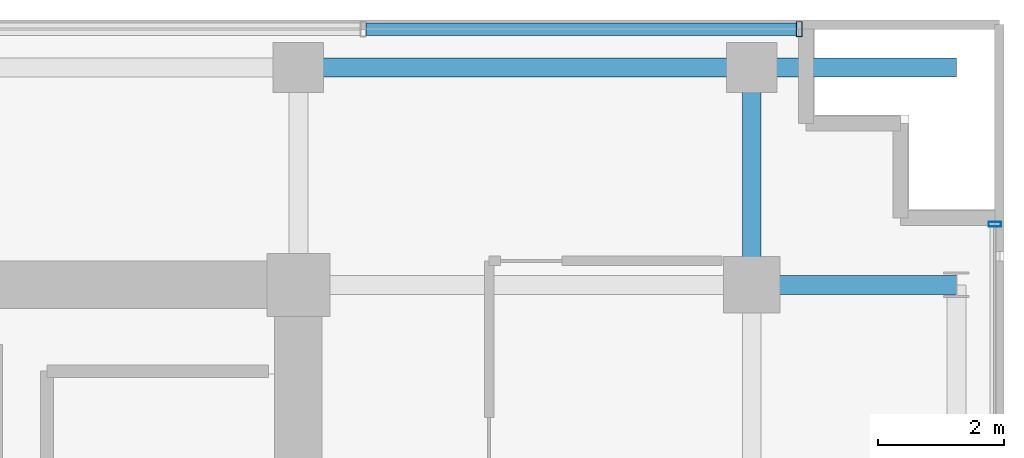
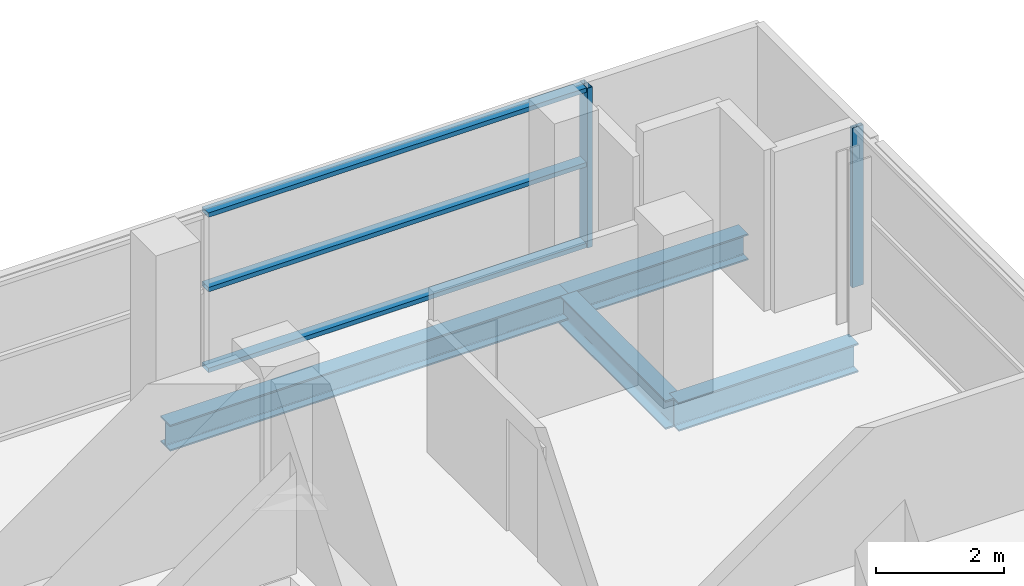
# One storey, part 18 of 27: 5 members, 4 beams, 2 elements without a shape of their own.
"""IFC4 building model written with IfcOpenShell, lengths in metres."""

from ifc_helpers import new_model, si_unit, direction, frame, origin, origin_2d, place, context, subcontext, project, spatial, hollow_rectangle, i_section, extrude, source, transform, mapped, material, layer, layer_set, material_profile, profile_set, type_object, element, aggregate, save


model = new_model("IFC4")

# Units and contexts
model_context = context("Model", 3, precision=1e-05, world=origin(), true_north=direction((0.0, 1.0)))
body_context = subcontext(model_context, "Body", "Model", "MODEL_VIEW")
ifc_project = project(units=[si_unit("LENGTHUNIT", "METRE"), si_unit("AREAUNIT", "SQUARE_METRE"), si_unit("VOLUMEUNIT", "CUBIC_METRE"), si_unit("PLANEANGLEUNIT", "RADIAN"), si_unit("MASSUNIT", "GRAM", prefix="KILO")], contexts=[model_context])

# Site, building, storey
site_placement = place(None, origin())
site = spatial("IfcSite", under=ifc_project, at=site_placement, CompositionType="ELEMENT")
building_placement = place(site_placement, origin())
building = spatial("IfcBuilding", under=site, at=building_placement, Name="Zarnakvel Exchange Tower", CompositionType="ELEMENT")
storey_placement = place(building_placement, frame((0.0, 0.0, 96.699951171875)))
storey = spatial("IfcBuildingStorey", under=building, at=storey_placement, Name="L26", CompositionType="ELEMENT", Elevation=96.699951171875)

# Beams
ifc_material_1 = material(Name="Steel S355", Category="steel")
ifc_material_profile_1 = material_profile(ifc_material_1, i_section(OverallWidth=0.300048828125, OverallDepth=0.550048828125, WebThickness=0.014892578125, FlangeThickness=0.029052734375, FilletRadius=0.027099609375, at=origin_2d()))
ifc_profile_set_1 = profile_set([ifc_material_profile_1], Name="Steel S355")
beam_type_1 = type_object("IfcBeamType", Name="G-05", PredefinedType="BEAM", material=ifc_profile_set_1)
beam_1_placement = place(storey_placement, frame((21.60009765625, 13.5, -0.5), z_axis=(1.0, 0.0, 0.0), x_axis=(0.0, 1.0, 0.0)))
element("IfcBeam", 1, at=beam_1_placement, inside=storey, type_object=beam_type_1, Name="L26 Tower E-W Frame Beam", PredefinedType="BEAM", context=body_context, shape_type="SweptSolid", body=[
    extrude(i_section(OverallWidth=0.300048828125, OverallDepth=0.550048828125, WebThickness=0.014892578125, FlangeThickness=0.029052734375, FilletRadius=0.027099609375, at=origin_2d()), origin(), (0.0, 0.0, 1.0), 3.25),
])
beam_2_placement = place(storey_placement, frame((21.60009765625, 13.5, -0.5), z_axis=(0.0, 1.0, 0.0), x_axis=(-1.0, 0.0, 0.0)))
element("IfcBeam", 2, at=beam_2_placement, inside=storey, type_object=beam_type_1, Name="L26 Tower N-S Frame Beam", PredefinedType="BEAM", context=body_context, shape_type="SweptSolid", body=[
    extrude(i_section(OverallWidth=0.300048828125, OverallDepth=0.550048828125, WebThickness=0.014892578125, FlangeThickness=0.029052734375, FilletRadius=0.027099609375, at=origin_2d()), origin(), (0.0, 0.0, 1.0), 3.449951171875),
])
ifc_material_profile_2 = material_profile(ifc_material_1, i_section(OverallWidth=0.300048828125, OverallDepth=0.5, WebThickness=0.014404296875, FlangeThickness=0.028076171875, FilletRadius=0.027099609375, at=origin_2d()))
ifc_profile_set_2 = profile_set([ifc_material_profile_2], Name="Steel S355")
beam_type_2 = type_object("IfcBeamType", Name="SP-02", PredefinedType="SPANDREL", material=ifc_profile_set_2)
beam_3_placement = place(storey_placement, frame((14.39990234375, 16.949951171875, -0.474853515625), z_axis=(1.0, 0.0, 0.0), x_axis=(0.0, 1.0, 0.0)))
element("IfcBeam", 3, at=beam_3_placement, inside=storey, type_object=beam_type_2, Name="L26 Tower E-W Frame Beam", PredefinedType="SPANDREL", context=body_context, shape_type="SweptSolid", body=[
    extrude(i_section(OverallWidth=0.300048828125, OverallDepth=0.5, WebThickness=0.014404296875, FlangeThickness=0.028076171875, FilletRadius=0.027099609375, at=origin_2d()), origin(), (0.0, 0.0, 1.0), 7.2001953125),
])
beam_4_placement = place(storey_placement, frame((21.60009765625, 16.949951171875, -0.474853515625), z_axis=(1.0, 0.0, 0.0), x_axis=(0.0, 1.0, 0.0)))
element("IfcBeam", 4, at=beam_4_placement, inside=storey, type_object=beam_type_2, Name="L26 North-East Corner Spandrel", PredefinedType="SPANDREL", context=body_context, shape_type="SweptSolid", body=[
    extrude(i_section(OverallWidth=0.300048828125, OverallDepth=0.5, WebThickness=0.014404296875, FlangeThickness=0.028076171875, FilletRadius=0.027099609375, at=origin_2d()), origin(), (0.0, 0.0, 1.0), 3.25),
])

# Curtain wall, member
ifc_material_2 = material(Name="Architectural Bronze Anodised Aluminium", Category="aluminium")
ifc_layer_1 = layer(ifc_material_2, 0.239990234375)
ifc_layer_set_1 = layer_set([ifc_layer_1], Name="Architectural Bronze Anodised Aluminium")
curtain_wall_type_1 = type_object("IfcCurtainWallType", Name="CW-02", PredefinedType="NOTDEFINED", material=ifc_layer_set_1)
curtain_wall_1_placement = place(storey_placement, origin())
curtain_wall_1 = element("IfcCurtainWall", 5, at=curtain_wall_1_placement, inside=storey, type_object=curtain_wall_type_1, Name="L26 Curtain Wall CW-L26-N1 (CW-02)", PredefinedType="NOTDEFINED")
ifc_material_profile_3 = material_profile(ifc_material_2, hollow_rectangle(XDim=0.239990234375, YDim=0.090087890625, WallThickness=0.006103515625, at=origin_2d()))
ifc_profile_set_3 = profile_set([ifc_material_profile_3], Name="Architectural Bronze Anodised Aluminium")
member_type_1 = type_object("IfcMemberType", Name="CWM-02", PredefinedType="MULLION", material=ifc_profile_set_3)
shared_shape_1 = source(origin(), body_context, "Body", "SweptSolid", [
    extrude(hollow_rectangle(XDim=0.239990234375, YDim=0.090087890625, WallThickness=0.006103515625, at=origin_2d()), origin(), (0.0, 0.0, 1.0), 3.054931640625),
])
member_1_placement = place(storey_placement, frame((22.35498046875, 17.56005859375, 0.0), z_axis=(0.0, 0.0, 1.0), x_axis=(0.0, 1.0, 0.0)))
member_1 = element("IfcMember", 6, at=member_1_placement, type_object=member_type_1, Name="CW-02 mullion 8", PredefinedType="MULLION", context=body_context, shape_type="MappedRepresentation", body=[
    mapped(shared_shape_1, transform((0.0, 0.0, 0.0), x_axis=(1.0, 0.0, 0.0), y_axis=(0.0, 1.0, 0.0), z_axis=(0.0, 0.0, 1.0), scale=1.0)),
])

ifc_layer_2 = layer(ifc_material_2, 0.199951171875)
ifc_layer_set_2 = layer_set([ifc_layer_2], Name="Architectural Bronze Anodised Aluminium")
curtain_wall_type_2 = type_object("IfcCurtainWallType", Name="CW-04", PredefinedType="NOTDEFINED", material=ifc_layer_set_2)
curtain_wall_2_placement = place(storey_placement, origin())
curtain_wall_2 = element("IfcCurtainWall", 7, at=curtain_wall_2_placement, inside=storey, type_object=curtain_wall_type_2, Name="L26 Curtain Wall CW-L26-E1 (CW-04)", PredefinedType="NOTDEFINED")
ifc_material_profile_4 = material_profile(ifc_material_2, hollow_rectangle(XDim=0.199951171875, YDim=0.074951171875, WallThickness=0.0048828125, at=origin_2d()))
ifc_profile_set_4 = profile_set([ifc_material_profile_4], Name="Architectural Bronze Anodised Aluminium")
member_type_2 = type_object("IfcMemberType", Name="CWM-04", PredefinedType="MULLION", material=ifc_profile_set_4)
shared_shape_2 = source(origin(), body_context, "Body", "SweptSolid", [
    extrude(hollow_rectangle(XDim=0.199951171875, YDim=0.074951171875, WallThickness=0.0048828125, at=origin_2d()), origin(), (0.0, 0.0, 1.0), 3.054931640625),
])
member_2_placement = place(storey_placement, frame((25.4599609375, 14.46240234375, 0.0), z_axis=(0.0, 0.0, 1.0), x_axis=(-1.0, 0.0, 0.0)))
member_2 = element("IfcMember", 8, at=member_2_placement, type_object=member_type_2, Name="CW-04 mullion 5", PredefinedType="MULLION", context=body_context, shape_type="MappedRepresentation", body=[
    mapped(shared_shape_2, transform((0.0, 0.0, 0.0), x_axis=(1.0, 0.0, 0.0), y_axis=(0.0, 1.0, 0.0), z_axis=(0.0, 0.0, 1.0), scale=1.0)),
])
aggregate(curtain_wall_2, [member_2])

# Member
ifc_material_profile_5 = material_profile(ifc_material_2, hollow_rectangle(XDim=0.199951171875, YDim=0.0849609375, WallThickness=0.0048828125, at=origin_2d()))
ifc_profile_set_5 = profile_set([ifc_material_profile_5], Name="Architectural Bronze Anodised Aluminium")
member_type_3 = type_object("IfcMemberType", Name="CWT-02", PredefinedType="USERDEFINED", material=ifc_profile_set_5)
shared_shape_3 = source(origin(), body_context, "Body", "SweptSolid", [
    extrude(hollow_rectangle(XDim=0.199951171875, YDim=0.0849609375, WallThickness=0.0048828125, at=origin_2d()), origin(), (0.0, 0.0, 1.0), 6.83642578125),
])
member_3_placement = place(storey_placement, frame((15.4736328125, 17.56005859375, 0.04248046875), z_axis=(1.0, 0.0, 0.0), x_axis=(0.0, 1.0, 0.0)))
member_3 = element("IfcMember", 9, at=member_3_placement, type_object=member_type_3, Name="CW-02 transom 7.1", ObjectType="TRANSOM", PredefinedType="USERDEFINED", context=body_context, shape_type="MappedRepresentation", body=[
    mapped(shared_shape_3, transform((0.0, 0.0, 0.0), x_axis=(1.0, 0.0, 0.0), y_axis=(0.0, 1.0, 0.0), z_axis=(0.0, 0.0, 1.0), scale=1.0)),
])

member_4_placement = place(storey_placement, frame((15.4736328125, 17.56005859375, 1.588623046875), z_axis=(1.0, 0.0, 0.0), x_axis=(0.0, 1.0, 0.0)))
member_4 = element("IfcMember", 10, at=member_4_placement, type_object=member_type_3, Name="CW-02 transom 7.2", ObjectType="TRANSOM", PredefinedType="USERDEFINED", context=body_context, shape_type="MappedRepresentation", body=[
    mapped(shared_shape_3, transform((0.0, 0.0, 0.0), x_axis=(1.0, 0.0, 0.0), y_axis=(0.0, 1.0, 0.0), z_axis=(0.0, 0.0, 1.0), scale=1.0)),
])

member_5_placement = place(storey_placement, frame((15.4736328125, 17.56005859375, 3.012451171875), z_axis=(1.0, 0.0, 0.0), x_axis=(0.0, 1.0, 0.0)))
member_5 = element("IfcMember", 11, at=member_5_placement, type_object=member_type_3, Name="CW-02 transom 7.3", ObjectType="TRANSOM", PredefinedType="USERDEFINED", context=body_context, shape_type="MappedRepresentation", body=[
    mapped(shared_shape_3, transform((0.0, 0.0, 0.0), x_axis=(1.0, 0.0, 0.0), y_axis=(0.0, 1.0, 0.0), z_axis=(0.0, 0.0, 1.0), scale=1.0)),
])

aggregate(curtain_wall_1, [member_1, member_3, member_4, member_5])

save(model, "model.ifc")
